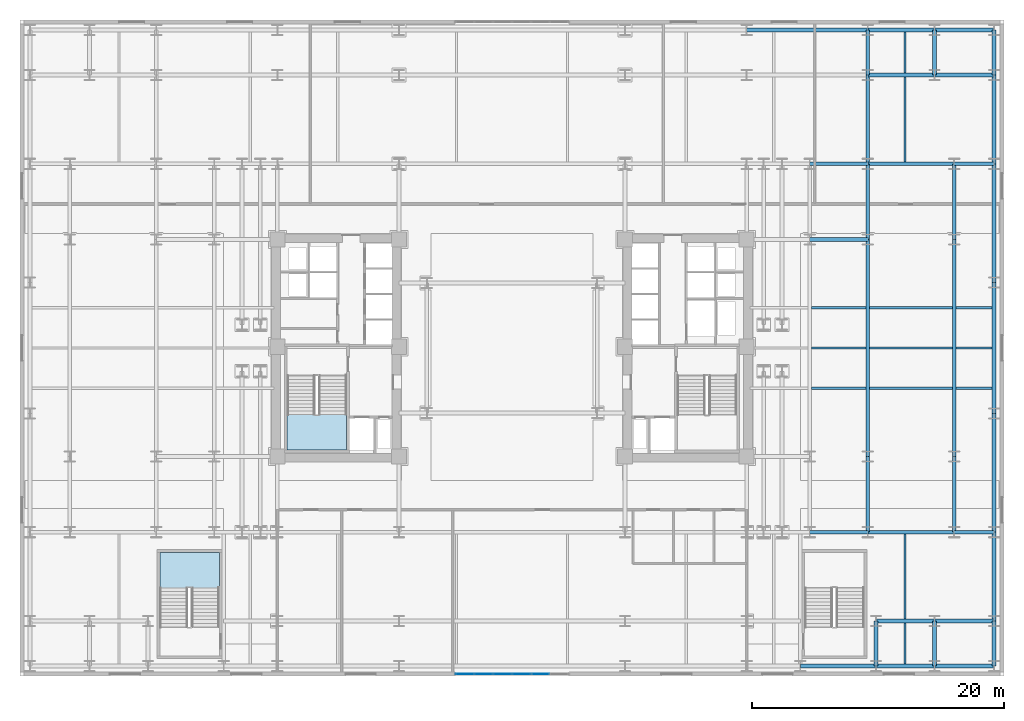
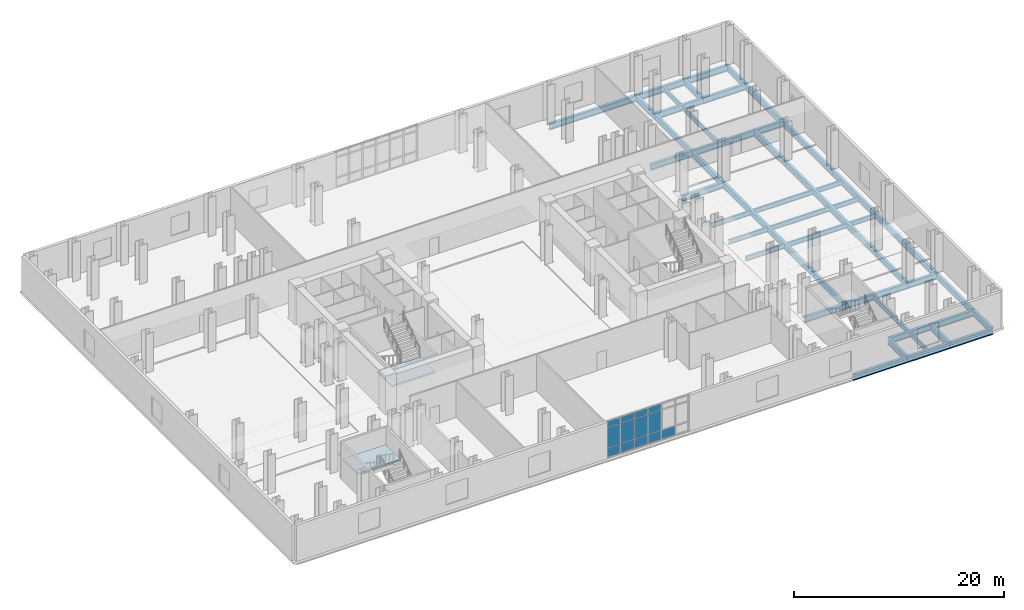
# One storey, part 6 of 15: 48 beams, 13 plates, 2 slabs, 3 elements without a shape of their own.
"""IFC4 building model written with IfcOpenShell, lengths in metres."""

import ifcopenshell
import ifcopenshell.guid

model = None  # the IFC model being written
_history = None  # IfcOwnerHistory: only IFC2X3 demands one
_inside = {}  # id of a spatial element -> (the spatial element, [elements in it])
_under = {}  # id of a project, library or spatial element -> (it, [spatial elements below it])
_declared = {}  # id of a project -> (the project, [libraries it declares])
_typed = {}  # id of a type object -> (the type object, [elements of that type])
_made_of = {}  # id of a material, layer set ... -> (it, [elements and type objects made of it])


def new_model(schema):
    """Start an empty IFC model of exactly this schema.

    Asked for "IFC4X3", IfcOpenShell would pick the latest addendum, in which some entities
    have other attributes; the version numbers below select the first issue.
    IFC2X3 requires an IfcOwnerHistory on every rooted entity: one is made here for all.
    """
    global model, _history
    if schema == "IFC4X3":
        model = ifcopenshell.file(schema_version=(4, 3, 0, 0))
    else:
        model = ifcopenshell.file(schema=schema)
    _inside.clear()
    _under.clear()
    _declared.clear()
    _typed.clear()
    _made_of.clear()
    _history = None
    if model.schema == "IFC2X3":
        org = make("IfcOrganization", Name="unknown")
        user = make(
            "IfcPersonAndOrganization",
            ThePerson=make("IfcPerson", FamilyName="unknown"),
            TheOrganization=org,
        )
        app = make(
            "IfcApplication",
            ApplicationDeveloper=org,
            Version="unknown",
            ApplicationFullName="unknown",
            ApplicationIdentifier="unknown",
        )
        _history = make(
            "IfcOwnerHistory",
            OwningUser=user,
            OwningApplication=app,
            ChangeAction="ADDED",
            CreationDate=0,
        )
    return model


def make(cls, **values):
    """One entity of the class cls with the attributes given. An attribute that is None is left unset."""
    return model.create_entity(
        cls, **{name: value for name, value in values.items() if value is not None}
    )


def rooted(cls, **values):
    """An entity with a GlobalId (a new one), such as an element, a storey or a relation."""
    return make(cls, GlobalId=ifcopenshell.guid.new(), OwnerHistory=_history, **values)


def si_unit(unit_type, name, prefix=None):
    """IfcSIUnit, for example si_unit("LENGTHUNIT", "METRE", prefix="MILLI")."""
    return make("IfcSIUnit", UnitType=unit_type, Prefix=prefix, Name=name)


def assignment(units):
    """IfcUnitAssignment: the units of a project."""
    return None if units is None else make("IfcUnitAssignment", Units=units)


def point(xyz):
    """IfcCartesianPoint."""
    return None if xyz is None else make("IfcCartesianPoint", Coordinates=xyz)


def direction(xyz):
    """IfcDirection."""
    return None if xyz is None else make("IfcDirection", DirectionRatios=xyz)


def frame(location, z_axis=None, x_axis=None):
    """IfcAxis2Placement3D, a coordinate frame: its origin and axes. An axis left out is left unset."""
    return make(
        "IfcAxis2Placement3D",
        Location=point(location),
        Axis=direction(z_axis),
        RefDirection=direction(x_axis),
    )


def frame_2d(location, x_axis=None):
    """IfcAxis2Placement2D, a coordinate frame in the plane: its origin and x axis."""
    return make(
        "IfcAxis2Placement2D", Location=point(location), RefDirection=direction(x_axis)
    )


def origin():
    """The frame at (0, 0, 0) with its axes left unset."""
    return frame((0.0, 0.0, 0.0))


def origin_2d():
    """The frame at (0, 0) in the plane with its x axis left unset."""
    return frame_2d((0.0, 0.0))


def place(relative_to, where):
    """IfcLocalPlacement: puts the frame where relative to a parent placement (None: the world)."""
    return make(
        "IfcLocalPlacement", PlacementRelTo=relative_to, RelativePlacement=where
    )


def context(
    kind, dimensions, precision=None, world=None, true_north=None, identifier=None
):
    """IfcGeometricRepresentationContext, for example the 3D "Model" context."""
    return make(
        "IfcGeometricRepresentationContext",
        ContextIdentifier=identifier,
        ContextType=kind,
        CoordinateSpaceDimension=dimensions,
        Precision=precision,
        WorldCoordinateSystem=world,
        TrueNorth=true_north,
    )


def subcontext(parent, identifier, kind, view, scale=None):
    """IfcGeometricRepresentationSubContext, for example "Body" below "Model"."""
    return make(
        "IfcGeometricRepresentationSubContext",
        ContextIdentifier=identifier,
        ContextType=kind,
        ParentContext=parent,
        TargetScale=scale,
        TargetView=view,
    )


def project(units=None, contexts=None):
    """IfcProject with its units and contexts."""
    return rooted(
        "IfcProject",
        Name="project",
        RepresentationContexts=contexts,
        UnitsInContext=assignment(units),
    )


def spatial(cls, under=None, at=None, **own):
    """A site, building, storey or space (cls), placed at a placement, below another one or the project."""
    s = rooted(cls, ObjectPlacement=at, **own)
    if under is not None:
        _under.setdefault(under.id(), (under, []))[1].append(s)
    return s


def polyline(points):
    """IfcPolyline through the points."""
    return make("IfcPolyline", Points=[point(p) for p in points])


def profile(cls, at=None, kind="AREA", **sizes):
    """A parametric profile (cls). Its sizes go by their IFC names, for example OverallWidth=200.0."""
    return make(cls, ProfileType=kind, Position=at, **sizes)


def rectangle(**sizes):
    """IfcRectangleProfileDef."""
    return profile("IfcRectangleProfileDef", **sizes)


def i_section(**sizes):
    """IfcIShapeProfileDef."""
    return profile("IfcIShapeProfileDef", **sizes)


def outline(outer, holes=None, kind="AREA"):
    """IfcArbitraryClosedProfileDef: a profile drawn as a closed curve; with holes, ...WithVoids."""
    if holes is None:
        return make("IfcArbitraryClosedProfileDef", ProfileType=kind, OuterCurve=outer)
    return make(
        "IfcArbitraryProfileDefWithVoids",
        ProfileType=kind,
        OuterCurve=outer,
        InnerCurves=holes,
    )


def extrude(swept, where, along, depth):
    """IfcExtrudedAreaSolid: the profile swept, set in the frame where, extruded along a direction by depth."""
    return make(
        "IfcExtrudedAreaSolid",
        SweptArea=swept,
        Position=where,
        ExtrudedDirection=direction(along),
        Depth=depth,
    )


def shape(context_of_items, identifier, shape_type, items):
    """IfcShapeRepresentation: the items that make up one representation, for example the "Body"."""
    return make(
        "IfcShapeRepresentation",
        ContextOfItems=context_of_items,
        RepresentationIdentifier=identifier,
        RepresentationType=shape_type,
        Items=items,
    )


def material(Name=None, Category=None):
    """IfcMaterial."""
    return make("IfcMaterial", Name=Name, Category=Category)


def layer(
    of_material, thickness, ventilated=None, Name=None, Category=None, Priority=None
):
    """IfcMaterialLayer: one layer of a wall or slab, of a material (None: an air gap)."""
    return make(
        "IfcMaterialLayer",
        Material=of_material,
        LayerThickness=thickness,
        IsVentilated=ventilated,
        Name=Name,
        Category=Category,
        Priority=Priority,
    )


def layer_set(layers, Name=None):
    """IfcMaterialLayerSet."""
    return make("IfcMaterialLayerSet", MaterialLayers=layers, LayerSetName=Name)


def material_profile(
    of_material, cross_section, Name=None, Category=None, Priority=None
):
    """IfcMaterialProfile: a cross section and its material."""
    return make(
        "IfcMaterialProfile",
        Name=Name,
        Material=of_material,
        Profile=cross_section,
        Priority=Priority,
        Category=Category,
    )


def profile_set(profiles, Name=None, composite=None):
    """IfcMaterialProfileSet."""
    return make(
        "IfcMaterialProfileSet",
        Name=Name,
        MaterialProfiles=profiles,
        CompositeProfile=composite,
    )


def made_of(thing, what):
    """Note that an element or type object is made of a material, layer set ...; save() writes the relation."""
    if what is not None:
        _made_of.setdefault(what.id(), (what, []))[1].append(thing)
    return thing


def type_object(cls, material=None, **own):
    """A type object (cls), such as IfcWallType, which elements share."""
    return made_of(rooted(cls, **own), material)


def element(
    cls,
    number,
    at=None,
    inside=None,
    cuts=None,
    type_object=None,
    material=None,
    context=None,
    identifier="Body",
    shape_type=None,
    held_by="IfcProductDefinitionShape",
    body=None,
    shapes=None,
    **own,
):
    """One element of the class cls, such as IfcWall. Its Tag is "e" and its number.

    at: its placement. inside: the storey or other place that contains it. cuts: it is an
    opening in that element (IfcRelVoidsElement). A single representation is given by context,
    identifier, shape_type and body (its items); several are given by shapes. held_by: the class
    of the entity that holds the representations. save() writes the other relations.
    """
    e = rooted(cls, Tag="e%d" % number, ObjectPlacement=at, **own)
    if body is not None:
        shapes = [shape(context, identifier, shape_type, body)]
    if shapes is not None:
        e.Representation = make(held_by, Representations=shapes)
    if inside is not None:
        _inside.setdefault(inside.id(), (inside, []))[1].append(e)
    if cuts is not None:
        rooted(
            "IfcRelVoidsElement", RelatingBuildingElement=cuts, RelatedOpeningElement=e
        )
    if type_object is not None:
        _typed.setdefault(type_object.id(), (type_object, []))[1].append(e)
    return made_of(e, material)


def aggregate(whole, parts):
    """IfcRelAggregates: a whole, such as a stair, and the parts it consists of."""
    return rooted("IfcRelAggregates", RelatingObject=whole, RelatedObjects=parts)


def save(model, path):
    """Write the relations noted so far, then the file.

    IfcRelAggregates (storeys below a building ...), IfcRelContainedInSpatialStructure (elements
    in a storey), IfcRelDefinesByType, IfcRelAssociatesMaterial and IfcRelDeclares: one each for
    every whole, place, type object, material and project.
    """
    for whole, parts in _under.values():
        aggregate(whole, parts)
    for where, things in _inside.values():
        rooted(
            "IfcRelContainedInSpatialStructure",
            RelatedElements=things,
            RelatingStructure=where,
        )
    for kind, things in _typed.values():
        rooted("IfcRelDefinesByType", RelatedObjects=things, RelatingType=kind)
    for what, things in _made_of.values():
        rooted("IfcRelAssociatesMaterial", RelatedObjects=things, RelatingMaterial=what)
    for by, libraries in _declared.values():
        rooted("IfcRelDeclares", RelatingContext=by, RelatedDefinitions=libraries)
    model.write(path)


model = new_model("IFC4")

# Units and contexts
model_context = context("Model", 3, precision=1e-05, world=origin(), true_north=direction((0.0, 1.0)))
body_context = subcontext(model_context, "Body", "Model", "MODEL_VIEW")
ifc_project = project(units=[si_unit("LENGTHUNIT", "METRE"), si_unit("AREAUNIT", "SQUARE_METRE"), si_unit("VOLUMEUNIT", "CUBIC_METRE"), si_unit("PLANEANGLEUNIT", "RADIAN"), si_unit("MASSUNIT", "GRAM", prefix="KILO")], contexts=[model_context])

# Site, building, storey
site_placement = place(None, origin())
site = spatial("IfcSite", under=ifc_project, at=site_placement, CompositionType="ELEMENT")
building_placement = place(site_placement, origin())
building = spatial("IfcBuilding", under=site, at=building_placement, Name="Velakula Bourse", CompositionType="ELEMENT")
storey_placement = place(building_placement, frame((0.0, 0.0, 14.10009765625)))
storey = spatial("IfcBuildingStorey", under=building, at=storey_placement, Name="L03", CompositionType="ELEMENT", Elevation=14.10009765625)

# Beams
ifc_material_1 = material(Name="Steel IS 2062 Grade 350 (E350)", Category="steel")
ifc_material_profile_1 = material_profile(ifc_material_1, i_section(OverallWidth=0.300048828125, OverallDepth=0.699951171875, WebThickness=0.01611328125, FlangeThickness=0.02490234375, at=origin_2d()), Name="Steel IS 2062 Grade 350 (E350)")
ifc_profile_set_1 = profile_set([ifc_material_profile_1], Name="Steel IS 2062 Grade 350 (E350)")
beam_type_1 = type_object("IfcBeamType", Name="BM-POD-700", PredefinedType="BEAM", material=ifc_profile_set_1)
for number, where, z_axis, x_axis, name in (
    (1, (23.60009765625, -14.60009765625, -0.60009765625), (1.0, 0.0, 0.0), (0.0, 1.0, 0.0), "L03 Fulcrum Grid Girder WNG-ES1"),
    (2, (23.60009765625, 8.60009765625, -0.60009765625), (1.0, 0.0, 0.0), (0.0, 1.0, 0.0), "L03 Fulcrum Grid Girder WNG-EN1"),
    (3, (23.60009765625, 14.60009765625, -0.60009765625), (1.0, 0.0, 0.0), (0.0, 1.0, 0.0), "L03 Fulcrum Grid Girder WNG-EN2"),
):
    element("IfcBeam", number, at=place(storey_placement, frame(where, z_axis=z_axis, x_axis=x_axis)), inside=storey, type_object=beam_type_1, Name=name, PredefinedType="BEAM", context=body_context, shape_type="SweptSolid", body=[
        extrude(i_section(OverallWidth=0.300048828125, OverallDepth=0.699951171875, WebThickness=0.01611328125, FlangeThickness=0.02490234375, at=origin_2d()), origin(), (0.0, 0.0, 1.0), 4.599853515625),
    ])
beam_1_placement = place(storey_placement, frame((28.199951171875, -14.60009765625, -0.60009765625), z_axis=(0.0, 1.0, 0.0), x_axis=(-1.0, 0.0, 0.0)))
element("IfcBeam", 4, at=beam_1_placement, inside=storey, type_object=beam_type_1, Name="L03 Fulcrum Grid Girder WNG-ENS1", PredefinedType="BEAM", context=body_context, shape_type="SweptSolid", body=[
    extrude(i_section(OverallWidth=0.300048828125, OverallDepth=0.699951171875, WebThickness=0.01611328125, FlangeThickness=0.02490234375, at=origin_2d()), origin(), (0.0, 0.0, 1.0), 6.0),
])
beam_2_placement = place(storey_placement, frame((28.199951171875, -8.60009765625, -0.60009765625), z_axis=(0.0, 1.0, 0.0), x_axis=(-1.0, 0.0, 0.0)))
element("IfcBeam", 5, at=beam_2_placement, inside=storey, type_object=beam_type_1, Name="L03 Fulcrum Grid Girder WNG-ENS2", PredefinedType="BEAM", context=body_context, shape_type="SweptSolid", body=[
    extrude(i_section(OverallWidth=0.300048828125, OverallDepth=0.699951171875, WebThickness=0.01611328125, FlangeThickness=0.02490234375, at=origin_2d()), origin(), (0.0, 0.0, 1.0), 17.2001953125),
])
for number, where, z_axis, x_axis, name in (
    (6, (28.199951171875, 8.60009765625, -0.60009765625), (0.0, 1.0, 0.0), (-1.0, 0.0, 0.0), "L03 Fulcrum Grid Girder WNG-ENS3"),
    (7, (22.85009765625, -25.199951171875, -0.60009765625), (1.0, 0.0, 0.0), (0.0, 1.0, 0.0), "L03 Podium E-W Girder 09"),
):
    element("IfcBeam", number, at=place(storey_placement, frame(where, z_axis=z_axis, x_axis=x_axis)), inside=storey, type_object=beam_type_1, Name=name, PredefinedType="BEAM", context=body_context, shape_type="SweptSolid", body=[
        extrude(i_section(OverallWidth=0.300048828125, OverallDepth=0.699951171875, WebThickness=0.01611328125, FlangeThickness=0.02490234375, at=origin_2d()), origin(), (0.0, 0.0, 1.0), 6.0),
    ])
beam_3_placement = place(storey_placement, frame((28.85009765625, -25.199951171875, -0.60009765625), z_axis=(1.0, 0.0, 0.0), x_axis=(0.0, 1.0, 0.0)))
element("IfcBeam", 8, at=beam_3_placement, inside=storey, type_object=beam_type_1, Name="L03 Podium E-W Girder 10", PredefinedType="BEAM", context=body_context, shape_type="SweptSolid", body=[
    extrude(i_section(OverallWidth=0.300048828125, OverallDepth=0.699951171875, WebThickness=0.01611328125, FlangeThickness=0.02490234375, at=origin_2d()), origin(), (0.0, 0.0, 1.0), 4.64990234375),
])
beam_4_placement = place(storey_placement, frame((33.5, -25.199951171875, -0.60009765625), z_axis=(1.0, 0.0, 0.0), x_axis=(0.0, 1.0, 0.0)))
element("IfcBeam", 9, at=beam_4_placement, inside=storey, type_object=beam_type_1, Name="L03 Podium E-W Girder 11", PredefinedType="BEAM", context=body_context, shape_type="SweptSolid", body=[
    extrude(i_section(OverallWidth=0.300048828125, OverallDepth=0.699951171875, WebThickness=0.01611328125, FlangeThickness=0.02490234375, at=origin_2d()), origin(), (0.0, 0.0, 1.0), 4.699951171875),
])
beam_5_placement = place(storey_placement, frame((28.85009765625, -21.64990234375, -0.60009765625), z_axis=(1.0, 0.0, 0.0), x_axis=(0.0, 1.0, 0.0)))
element("IfcBeam", 10, at=beam_5_placement, inside=storey, type_object=beam_type_1, Name="L03 Podium E-W Girder 19", PredefinedType="BEAM", context=body_context, shape_type="SweptSolid", body=[
    extrude(i_section(OverallWidth=0.300048828125, OverallDepth=0.699951171875, WebThickness=0.01611328125, FlangeThickness=0.02490234375, at=origin_2d()), origin(), (0.0, 0.0, 1.0), 4.64990234375),
])
beam_6_placement = place(storey_placement, frame((33.5, -21.64990234375, -0.60009765625), z_axis=(1.0, 0.0, 0.0), x_axis=(0.0, 1.0, 0.0)))
element("IfcBeam", 11, at=beam_6_placement, inside=storey, type_object=beam_type_1, Name="L03 Podium E-W Girder 20", PredefinedType="BEAM", context=body_context, shape_type="SweptSolid", body=[
    extrude(i_section(OverallWidth=0.300048828125, OverallDepth=0.699951171875, WebThickness=0.01611328125, FlangeThickness=0.02490234375, at=origin_2d()), origin(), (0.0, 0.0, 1.0), 4.699951171875),
])
beam_7_placement = place(storey_placement, frame((28.199951171875, -14.60009765625, -0.60009765625), z_axis=(1.0, 0.0, 0.0), x_axis=(0.0, 1.0, 0.0)))
element("IfcBeam", 12, at=beam_7_placement, inside=storey, type_object=beam_type_1, Name="L03 Podium E-W Girder 32", PredefinedType="BEAM", context=body_context, shape_type="SweptSolid", body=[
    extrude(i_section(OverallWidth=0.300048828125, OverallDepth=0.699951171875, WebThickness=0.01611328125, FlangeThickness=0.02490234375, at=origin_2d()), origin(), (0.0, 0.0, 1.0), 6.85009765625),
])
beam_8_placement = place(storey_placement, frame((35.050048828125, -14.60009765625, -0.60009765625), z_axis=(1.0, 0.0, 0.0), x_axis=(0.0, 1.0, 0.0)))
element("IfcBeam", 13, at=beam_8_placement, inside=storey, type_object=beam_type_1, Name="L03 Podium E-W Girder 33", PredefinedType="BEAM", context=body_context, shape_type="SweptSolid", body=[
    extrude(i_section(OverallWidth=0.300048828125, OverallDepth=0.699951171875, WebThickness=0.01611328125, FlangeThickness=0.02490234375, at=origin_2d()), origin(), (0.0, 0.0, 1.0), 3.14990234375),
])
beam_9_placement = place(storey_placement, frame((28.199951171875, 14.60009765625, -0.60009765625), z_axis=(1.0, 0.0, 0.0), x_axis=(0.0, 1.0, 0.0)))
element("IfcBeam", 14, at=beam_9_placement, inside=storey, type_object=beam_type_1, Name="L03 Podium E-W Girder 45", PredefinedType="BEAM", context=body_context, shape_type="SweptSolid", body=[
    extrude(i_section(OverallWidth=0.300048828125, OverallDepth=0.699951171875, WebThickness=0.01611328125, FlangeThickness=0.02490234375, at=origin_2d()), origin(), (0.0, 0.0, 1.0), 6.85009765625),
])
beam_10_placement = place(storey_placement, frame((35.050048828125, 14.60009765625, -0.60009765625), z_axis=(1.0, 0.0, 0.0), x_axis=(0.0, 1.0, 0.0)))
element("IfcBeam", 15, at=beam_10_placement, inside=storey, type_object=beam_type_1, Name="L03 Podium E-W Girder 46", PredefinedType="BEAM", context=body_context, shape_type="SweptSolid", body=[
    extrude(i_section(OverallWidth=0.300048828125, OverallDepth=0.699951171875, WebThickness=0.01611328125, FlangeThickness=0.02490234375, at=origin_2d()), origin(), (0.0, 0.0, 1.0), 3.14990234375),
])
beam_11_placement = place(storey_placement, frame((28.199951171875, 21.64990234375, -0.60009765625), z_axis=(1.0, 0.0, 0.0), x_axis=(0.0, 1.0, 0.0)))
element("IfcBeam", 16, at=beam_11_placement, inside=storey, type_object=beam_type_1, Name="L03 Podium E-W Girder 54", PredefinedType="BEAM", context=body_context, shape_type="SweptSolid", body=[
    extrude(i_section(OverallWidth=0.300048828125, OverallDepth=0.699951171875, WebThickness=0.01611328125, FlangeThickness=0.02490234375, at=origin_2d()), origin(), (0.0, 0.0, 1.0), 5.300048828125),
])
beam_12_placement = place(storey_placement, frame((33.5, 21.64990234375, -0.60009765625), z_axis=(1.0, 0.0, 0.0), x_axis=(0.0, 1.0, 0.0)))
element("IfcBeam", 17, at=beam_12_placement, inside=storey, type_object=beam_type_1, Name="L03 Podium E-W Girder 55", PredefinedType="BEAM", context=body_context, shape_type="SweptSolid", body=[
    extrude(i_section(OverallWidth=0.300048828125, OverallDepth=0.699951171875, WebThickness=0.01611328125, FlangeThickness=0.02490234375, at=origin_2d()), origin(), (0.0, 0.0, 1.0), 4.699951171875),
])
beam_13_placement = place(storey_placement, frame((18.60009765625, 25.199951171875, -0.60009765625), z_axis=(1.0, 0.0, 0.0), x_axis=(0.0, 1.0, 0.0)))
element("IfcBeam", 18, at=beam_13_placement, inside=storey, type_object=beam_type_1, Name="L03 Podium E-W Girder 62", PredefinedType="BEAM", context=body_context, shape_type="SweptSolid", body=[
    extrude(i_section(OverallWidth=0.300048828125, OverallDepth=0.699951171875, WebThickness=0.01611328125, FlangeThickness=0.02490234375, at=origin_2d()), origin(), (0.0, 0.0, 1.0), 9.599853515625),
])
beam_14_placement = place(storey_placement, frame((28.199951171875, 25.199951171875, -0.60009765625), z_axis=(1.0, 0.0, 0.0), x_axis=(0.0, 1.0, 0.0)))
element("IfcBeam", 19, at=beam_14_placement, inside=storey, type_object=beam_type_1, Name="L03 Podium E-W Girder 63", PredefinedType="BEAM", context=body_context, shape_type="SweptSolid", body=[
    extrude(i_section(OverallWidth=0.300048828125, OverallDepth=0.699951171875, WebThickness=0.01611328125, FlangeThickness=0.02490234375, at=origin_2d()), origin(), (0.0, 0.0, 1.0), 5.300048828125),
])
beam_15_placement = place(storey_placement, frame((33.5, 25.199951171875, -0.60009765625), z_axis=(1.0, 0.0, 0.0), x_axis=(0.0, 1.0, 0.0)))
element("IfcBeam", 20, at=beam_15_placement, inside=storey, type_object=beam_type_1, Name="L03 Podium E-W Girder 64", PredefinedType="BEAM", context=body_context, shape_type="SweptSolid", body=[
    extrude(i_section(OverallWidth=0.300048828125, OverallDepth=0.699951171875, WebThickness=0.01611328125, FlangeThickness=0.02490234375, at=origin_2d()), origin(), (0.0, 0.0, 1.0), 4.699951171875),
])
beam_16_placement = place(storey_placement, frame((28.199951171875, 14.60009765625, -0.60009765625), z_axis=(0.0, 1.0, 0.0), x_axis=(-1.0, 0.0, 0.0)))
element("IfcBeam", 21, at=beam_16_placement, inside=storey, type_object=beam_type_1, Name="L03 Podium N-S Girder 85", PredefinedType="BEAM", context=body_context, shape_type="SweptSolid", body=[
    extrude(i_section(OverallWidth=0.300048828125, OverallDepth=0.699951171875, WebThickness=0.01611328125, FlangeThickness=0.02490234375, at=origin_2d()), origin(), (0.0, 0.0, 1.0), 7.0498046875),
])
for number, where, z_axis, x_axis, name in (
    (22, (28.199951171875, 21.64990234375, -0.60009765625), (0.0, 1.0, 0.0), (-1.0, 0.0, 0.0), "L03 Podium N-S Girder 86"),
    (23, (28.85009765625, -25.199951171875, -0.60009765625), (0.0, 1.0, 0.0), (-1.0, 0.0, 0.0), "L03 Podium N-S Girder 87"),
    (24, (33.5, -25.199951171875, -0.60009765625), (0.0, 1.0, 0.0), (-1.0, 0.0, 0.0), "L03 Podium N-S Girder 88"),
):
    element("IfcBeam", number, at=place(storey_placement, frame(where, z_axis=z_axis, x_axis=x_axis)), inside=storey, type_object=beam_type_1, Name=name, PredefinedType="BEAM", context=body_context, shape_type="SweptSolid", body=[
        extrude(i_section(OverallWidth=0.300048828125, OverallDepth=0.699951171875, WebThickness=0.01611328125, FlangeThickness=0.02490234375, at=origin_2d()), origin(), (0.0, 0.0, 1.0), 3.550048828125),
    ])
beam_17_placement = place(storey_placement, frame((35.050048828125, -14.60009765625, -0.60009765625), z_axis=(0.0, 1.0, 0.0), x_axis=(-1.0, 0.0, 0.0)))
element("IfcBeam", 25, at=beam_17_placement, inside=storey, type_object=beam_type_1, Name="L03 Podium N-S Girder 89", PredefinedType="BEAM", context=body_context, shape_type="SweptSolid", body=[
    extrude(i_section(OverallWidth=0.300048828125, OverallDepth=0.699951171875, WebThickness=0.01611328125, FlangeThickness=0.02490234375, at=origin_2d()), origin(), (0.0, 0.0, 1.0), 6.0),
])
beam_18_placement = place(storey_placement, frame((35.050048828125, -8.60009765625, -0.60009765625), z_axis=(0.0, 1.0, 0.0), x_axis=(-1.0, 0.0, 0.0)))
element("IfcBeam", 26, at=beam_18_placement, inside=storey, type_object=beam_type_1, Name="L03 Podium N-S Girder 90", PredefinedType="BEAM", context=body_context, shape_type="SweptSolid", body=[
    extrude(i_section(OverallWidth=0.300048828125, OverallDepth=0.699951171875, WebThickness=0.01611328125, FlangeThickness=0.02490234375, at=origin_2d()), origin(), (0.0, 0.0, 1.0), 17.2001953125),
])
beam_19_placement = place(storey_placement, frame((35.050048828125, 8.60009765625, -0.60009765625), z_axis=(0.0, 1.0, 0.0), x_axis=(-1.0, 0.0, 0.0)))
element("IfcBeam", 27, at=beam_19_placement, inside=storey, type_object=beam_type_1, Name="L03 Podium N-S Girder 91", PredefinedType="BEAM", context=body_context, shape_type="SweptSolid", body=[
    extrude(i_section(OverallWidth=0.300048828125, OverallDepth=0.699951171875, WebThickness=0.01611328125, FlangeThickness=0.02490234375, at=origin_2d()), origin(), (0.0, 0.0, 1.0), 6.0),
])
beam_20_placement = place(storey_placement, frame((38.199951171875, -25.199951171875, -0.60009765625), z_axis=(0.0, 1.0, 0.0), x_axis=(-1.0, 0.0, 0.0)))
element("IfcBeam", 28, at=beam_20_placement, inside=storey, type_object=beam_type_1, Name="L03 Podium N-S Girder 92", PredefinedType="BEAM", context=body_context, shape_type="SweptSolid", body=[
    extrude(i_section(OverallWidth=0.300048828125, OverallDepth=0.699951171875, WebThickness=0.01611328125, FlangeThickness=0.02490234375, at=origin_2d()), origin(), (0.0, 0.0, 1.0), 3.550048828125),
])
beam_21_placement = place(storey_placement, frame((38.199951171875, -21.64990234375, -0.60009765625), z_axis=(0.0, 1.0, 0.0), x_axis=(-1.0, 0.0, 0.0)))
element("IfcBeam", 29, at=beam_21_placement, inside=storey, type_object=beam_type_1, Name="L03 Podium N-S Girder 93", PredefinedType="BEAM", context=body_context, shape_type="SweptSolid", body=[
    extrude(i_section(OverallWidth=0.300048828125, OverallDepth=0.699951171875, WebThickness=0.01611328125, FlangeThickness=0.02490234375, at=origin_2d()), origin(), (0.0, 0.0, 1.0), 7.0498046875),
])
beam_22_placement = place(storey_placement, frame((38.199951171875, -14.60009765625, -0.60009765625), z_axis=(0.0, 1.0, 0.0), x_axis=(-1.0, 0.0, 0.0)))
element("IfcBeam", 30, at=beam_22_placement, inside=storey, type_object=beam_type_1, Name="L03 Podium N-S Girder 94", PredefinedType="BEAM", context=body_context, shape_type="SweptSolid", body=[
    extrude(i_section(OverallWidth=0.300048828125, OverallDepth=0.699951171875, WebThickness=0.01611328125, FlangeThickness=0.02490234375, at=origin_2d()), origin(), (0.0, 0.0, 1.0), 9.400146484375),
])
beam_23_placement = place(storey_placement, frame((38.199951171875, -5.199951171875, -0.60009765625), z_axis=(0.0, 1.0, 0.0), x_axis=(-1.0, 0.0, 0.0)))
element("IfcBeam", 31, at=beam_23_placement, inside=storey, type_object=beam_type_1, Name="L03 Podium N-S Girder 95", PredefinedType="BEAM", context=body_context, shape_type="SweptSolid", body=[
    extrude(i_section(OverallWidth=0.300048828125, OverallDepth=0.699951171875, WebThickness=0.01611328125, FlangeThickness=0.02490234375, at=origin_2d()), origin(), (0.0, 0.0, 1.0), 10.39990234375),
])
beam_24_placement = place(storey_placement, frame((38.199951171875, 5.199951171875, -0.60009765625), z_axis=(0.0, 1.0, 0.0), x_axis=(-1.0, 0.0, 0.0)))
element("IfcBeam", 32, at=beam_24_placement, inside=storey, type_object=beam_type_1, Name="L03 Podium N-S Girder 96", PredefinedType="BEAM", context=body_context, shape_type="SweptSolid", body=[
    extrude(i_section(OverallWidth=0.300048828125, OverallDepth=0.699951171875, WebThickness=0.01611328125, FlangeThickness=0.02490234375, at=origin_2d()), origin(), (0.0, 0.0, 1.0), 9.400146484375),
])
beam_25_placement = place(storey_placement, frame((38.199951171875, 14.60009765625, -0.60009765625), z_axis=(0.0, 1.0, 0.0), x_axis=(-1.0, 0.0, 0.0)))
element("IfcBeam", 33, at=beam_25_placement, inside=storey, type_object=beam_type_1, Name="L03 Podium N-S Girder 97", PredefinedType="BEAM", context=body_context, shape_type="SweptSolid", body=[
    extrude(i_section(OverallWidth=0.300048828125, OverallDepth=0.699951171875, WebThickness=0.01611328125, FlangeThickness=0.02490234375, at=origin_2d()), origin(), (0.0, 0.0, 1.0), 7.0498046875),
])
for number, where, z_axis, x_axis, name in (
    (34, (38.199951171875, 21.64990234375, -0.60009765625), (0.0, 1.0, 0.0), (-1.0, 0.0, 0.0), "L03 Podium N-S Girder 98"),
    (35, (33.5, 21.64990234375, -0.60009765625), (0.0, 1.0, 0.0), (-1.0, 0.0, 0.0), "L03 Podium N-S Girder 100"),
):
    element("IfcBeam", number, at=place(storey_placement, frame(where, z_axis=z_axis, x_axis=x_axis)), inside=storey, type_object=beam_type_1, Name=name, PredefinedType="BEAM", context=body_context, shape_type="SweptSolid", body=[
        extrude(i_section(OverallWidth=0.300048828125, OverallDepth=0.699951171875, WebThickness=0.01611328125, FlangeThickness=0.02490234375, at=origin_2d()), origin(), (0.0, 0.0, 1.0), 3.550048828125),
    ])
ifc_material_profile_2 = material_profile(ifc_material_1, i_section(OverallWidth=0.18994140625, OverallDepth=0.550048828125, WebThickness=0.01123046875, FlangeThickness=0.019287109375, at=origin_2d()), Name="Steel IS 2062 Grade 350 (E350)")
ifc_profile_set_2 = profile_set([ifc_material_profile_2], Name="Steel IS 2062 Grade 350 (E350)")
beam_type_2 = type_object("IfcBeamType", Name="JST-POD-550", PredefinedType="JOIST", material=ifc_profile_set_2)
beam_26_placement = place(storey_placement, frame((31.14990234375, -25.050048828125, -0.525146484375), z_axis=(0.0, 1.0, 0.0), x_axis=(-1.0, 0.0, 0.0)))
element("IfcBeam", 36, at=beam_26_placement, inside=storey, type_object=beam_type_2, Name="L03 Station Podium Floor Joist 29", PredefinedType="JOIST", context=body_context, shape_type="SweptSolid", body=[
    extrude(i_section(OverallWidth=0.18994140625, OverallDepth=0.550048828125, WebThickness=0.01123046875, FlangeThickness=0.019287109375, at=origin_2d()), origin(), (0.0, 0.0, 1.0), 3.25),
])
for number, where, z_axis, x_axis, name in (
    (37, (31.14990234375, -21.5, -0.525146484375), (0.0, 1.0, 0.0), (-1.0, 0.0, 0.0), "L03 Station Podium Floor Joist 30"),
    (38, (31.14990234375, 14.75, -0.525146484375), (0.0, 1.0, 0.0), (-1.0, 0.0, 0.0), "L03 Station Podium Floor Joist 31"),
):
    element("IfcBeam", number, at=place(storey_placement, frame(where, z_axis=z_axis, x_axis=x_axis)), inside=storey, type_object=beam_type_2, Name=name, PredefinedType="JOIST", context=body_context, shape_type="SweptSolid", body=[
        extrude(i_section(OverallWidth=0.18994140625, OverallDepth=0.550048828125, WebThickness=0.01123046875, FlangeThickness=0.019287109375, at=origin_2d()), origin(), (0.0, 0.0, 1.0), 6.75),
    ])
beam_27_placement = place(storey_placement, frame((31.14990234375, 21.800048828125, -0.525146484375), z_axis=(0.0, 1.0, 0.0), x_axis=(-1.0, 0.0, 0.0)))
element("IfcBeam", 39, at=beam_27_placement, inside=storey, type_object=beam_type_2, Name="L03 Station Podium Floor Joist 32", PredefinedType="JOIST", context=body_context, shape_type="SweptSolid", body=[
    extrude(i_section(OverallWidth=0.18994140625, OverallDepth=0.550048828125, WebThickness=0.01123046875, FlangeThickness=0.019287109375, at=origin_2d()), origin(), (0.0, 0.0, 1.0), 3.25),
])
beam_28_placement = place(storey_placement, frame((23.75, -3.199951171875, -0.525146484375), z_axis=(1.0, 0.0, 0.0), x_axis=(0.0, 1.0, 0.0)))
element("IfcBeam", 40, at=beam_28_placement, inside=storey, type_object=beam_type_2, Name="L03 Station Wing Floor Joist 38", PredefinedType="JOIST", context=body_context, shape_type="SweptSolid", body=[
    extrude(i_section(OverallWidth=0.18994140625, OverallDepth=0.550048828125, WebThickness=0.01123046875, FlangeThickness=0.019287109375, at=origin_2d()), origin(), (0.0, 0.0, 1.0), 4.300048828125),
])
beam_29_placement = place(storey_placement, frame((28.35009765625, -3.199951171875, -0.525146484375), z_axis=(1.0, 0.0, 0.0), x_axis=(0.0, 1.0, 0.0)))
element("IfcBeam", 41, at=beam_29_placement, inside=storey, type_object=beam_type_2, Name="L03 Station Wing Floor Joist 39", PredefinedType="JOIST", context=body_context, shape_type="SweptSolid", body=[
    extrude(i_section(OverallWidth=0.18994140625, OverallDepth=0.550048828125, WebThickness=0.01123046875, FlangeThickness=0.019287109375, at=origin_2d()), origin(), (0.0, 0.0, 1.0), 6.5498046875),
])
beam_30_placement = place(storey_placement, frame((35.199951171875, -3.199951171875, -0.525146484375), z_axis=(1.0, 0.0, 0.0), x_axis=(0.0, 1.0, 0.0)))
element("IfcBeam", 42, at=beam_30_placement, inside=storey, type_object=beam_type_2, Name="L03 Station Wing Floor Joist 40", PredefinedType="JOIST", context=body_context, shape_type="SweptSolid", body=[
    extrude(i_section(OverallWidth=0.18994140625, OverallDepth=0.550048828125, WebThickness=0.01123046875, FlangeThickness=0.019287109375, at=origin_2d()), origin(), (0.0, 0.0, 1.0), 2.85009765625),
])
beam_31_placement = place(storey_placement, frame((23.75, 0.0, -0.525146484375), z_axis=(1.0, 0.0, 0.0), x_axis=(0.0, 1.0, 0.0)))
element("IfcBeam", 43, at=beam_31_placement, inside=storey, type_object=beam_type_2, Name="L03 Station Wing Floor Joist 46", PredefinedType="JOIST", context=body_context, shape_type="SweptSolid", body=[
    extrude(i_section(OverallWidth=0.18994140625, OverallDepth=0.550048828125, WebThickness=0.01123046875, FlangeThickness=0.019287109375, at=origin_2d()), origin(), (0.0, 0.0, 1.0), 4.300048828125),
])
beam_32_placement = place(storey_placement, frame((28.35009765625, 0.0, -0.525146484375), z_axis=(1.0, 0.0, 0.0), x_axis=(0.0, 1.0, 0.0)))
element("IfcBeam", 44, at=beam_32_placement, inside=storey, type_object=beam_type_2, Name="L03 Station Wing Floor Joist 47", PredefinedType="JOIST", context=body_context, shape_type="SweptSolid", body=[
    extrude(i_section(OverallWidth=0.18994140625, OverallDepth=0.550048828125, WebThickness=0.01123046875, FlangeThickness=0.019287109375, at=origin_2d()), origin(), (0.0, 0.0, 1.0), 6.5498046875),
])
beam_33_placement = place(storey_placement, frame((35.199951171875, 0.0, -0.525146484375), z_axis=(1.0, 0.0, 0.0), x_axis=(0.0, 1.0, 0.0)))
element("IfcBeam", 45, at=beam_33_placement, inside=storey, type_object=beam_type_2, Name="L03 Station Wing Floor Joist 48", PredefinedType="JOIST", context=body_context, shape_type="SweptSolid", body=[
    extrude(i_section(OverallWidth=0.18994140625, OverallDepth=0.550048828125, WebThickness=0.01123046875, FlangeThickness=0.019287109375, at=origin_2d()), origin(), (0.0, 0.0, 1.0), 2.85009765625),
])
beam_34_placement = place(storey_placement, frame((23.75, 3.199951171875, -0.525146484375), z_axis=(1.0, 0.0, 0.0), x_axis=(0.0, 1.0, 0.0)))
element("IfcBeam", 46, at=beam_34_placement, inside=storey, type_object=beam_type_2, Name="L03 Station Wing Floor Joist 54", PredefinedType="JOIST", context=body_context, shape_type="SweptSolid", body=[
    extrude(i_section(OverallWidth=0.18994140625, OverallDepth=0.550048828125, WebThickness=0.01123046875, FlangeThickness=0.019287109375, at=origin_2d()), origin(), (0.0, 0.0, 1.0), 4.300048828125),
])
beam_35_placement = place(storey_placement, frame((28.35009765625, 3.199951171875, -0.525146484375), z_axis=(1.0, 0.0, 0.0), x_axis=(0.0, 1.0, 0.0)))
element("IfcBeam", 47, at=beam_35_placement, inside=storey, type_object=beam_type_2, Name="L03 Station Wing Floor Joist 55", PredefinedType="JOIST", context=body_context, shape_type="SweptSolid", body=[
    extrude(i_section(OverallWidth=0.18994140625, OverallDepth=0.550048828125, WebThickness=0.01123046875, FlangeThickness=0.019287109375, at=origin_2d()), origin(), (0.0, 0.0, 1.0), 6.5498046875),
])
beam_36_placement = place(storey_placement, frame((35.199951171875, 3.199951171875, -0.525146484375), z_axis=(1.0, 0.0, 0.0), x_axis=(0.0, 1.0, 0.0)))
element("IfcBeam", 48, at=beam_36_placement, inside=storey, type_object=beam_type_2, Name="L03 Station Wing Floor Joist 56", PredefinedType="JOIST", context=body_context, shape_type="SweptSolid", body=[
    extrude(i_section(OverallWidth=0.18994140625, OverallDepth=0.550048828125, WebThickness=0.01123046875, FlangeThickness=0.019287109375, at=origin_2d()), origin(), (0.0, 0.0, 1.0), 2.85009765625),
])

# Curtain wall, plates
ifc_material_2 = material(Name="Anodised bronze architectural aluminium", Category="aluminium")
ifc_layer_1 = layer(ifc_material_2, 0.179931640625, Name="Anodised bronze architectural aluminium", Category="aluminium")
ifc_layer_set_1 = layer_set([ifc_layer_1], Name="Anodised bronze architectural aluminium")
curtain_wall_type = type_object("IfcCurtainWallType", Name="CW-PD1", PredefinedType="NOTDEFINED", material=ifc_layer_set_1)
curtain_wall_placement = place(storey_placement, origin())
curtain_wall = element("IfcCurtainWall", 49, at=curtain_wall_placement, inside=storey, type_object=curtain_wall_type, Name="L03 South Station Galleria Curtain Wall 2", PredefinedType="NOTDEFINED")
ifc_material_3 = material(Name="Double-glazed solar-control Low-E glass", Category="glass")
ifc_layer_2 = layer(ifc_material_3, 0.02587890625, Name="Double-glazed solar-control Low-E glass", Category="glass")
ifc_layer_set_2 = layer_set([ifc_layer_2], Name="Double-glazed solar-control Low-E glass")
plate_type = type_object("IfcPlateType", Name="PNL-CW-PD1", PredefinedType="CURTAIN_PANEL", material=ifc_layer_set_2)
plate_1_placement = place(storey_placement, frame((2.25, -25.840087890625, 0.06005859375), z_axis=(0.0, 0.0, 1.0), x_axis=(-1.0, 0.0, 0.0)))
plate_1 = element("IfcPlate", 50, at=plate_1_placement, type_object=plate_type, Name="CW-PD1 panel 2.1", PredefinedType="CURTAIN_PANEL", context=body_context, shape_type="SweptSolid", body=[
    extrude(rectangle(XDim=1.43994140625, YDim=0.028076171875, at=origin_2d()), origin(), (0.0, 0.0, 1.0), 1.010009765625),
])
plate_2_placement = place(storey_placement, frame((0.75, -25.840087890625, 0.06005859375), z_axis=(0.0, 0.0, 1.0), x_axis=(-1.0, 0.0, 0.0)))
plate_2 = element("IfcPlate", 51, at=plate_2_placement, type_object=plate_type, Name="CW-PD1 panel 3.1", PredefinedType="CURTAIN_PANEL", context=body_context, shape_type="SweptSolid", body=[
    extrude(rectangle(XDim=1.43994140625, YDim=0.028076171875, at=origin_2d()), origin(), (0.0, 0.0, 1.0), 1.010009765625),
])
plate_3_placement = place(storey_placement, frame((0.75, -25.840087890625, 1.1298828125), z_axis=(0.0, 0.0, 1.0), x_axis=(-1.0, 0.0, 0.0)))
plate_3 = element("IfcPlate", 52, at=plate_3_placement, type_object=plate_type, Name="CW-PD1 panel 3.2", PredefinedType="CURTAIN_PANEL", context=body_context, shape_type="SweptSolid", body=[
    extrude(rectangle(XDim=1.43994140625, YDim=0.028076171875, at=origin_2d()), origin(), (0.0, 0.0, 1.0), 2.320068359375),
])
plate_4_placement = place(storey_placement, frame((0.75, -25.840087890625, 3.509765625), z_axis=(0.0, 0.0, 1.0), x_axis=(-1.0, 0.0, 0.0)))
plate_4 = element("IfcPlate", 53, at=plate_4_placement, type_object=plate_type, Name="CW-PD1 panel 3.3", PredefinedType="CURTAIN_PANEL", context=body_context, shape_type="SweptSolid", body=[
    extrude(rectangle(XDim=1.43994140625, YDim=0.028076171875, at=origin_2d()), origin(), (0.0, 0.0, 1.0), 0.659912109375),
])
plate_5_placement = place(storey_placement, frame((-0.75, -25.840087890625, 0.06005859375), z_axis=(0.0, 0.0, 1.0), x_axis=(-1.0, 0.0, 0.0)))
plate_5 = element("IfcPlate", 54, at=plate_5_placement, type_object=plate_type, Name="CW-PD1 panel 4.1", PredefinedType="CURTAIN_PANEL", context=body_context, shape_type="SweptSolid", body=[
    extrude(rectangle(XDim=1.43994140625, YDim=0.028076171875, at=origin_2d()), origin(), (0.0, 0.0, 1.0), 1.010009765625),
])
plate_6_placement = place(storey_placement, frame((-0.75, -25.840087890625, 1.1298828125), z_axis=(0.0, 0.0, 1.0), x_axis=(-1.0, 0.0, 0.0)))
plate_6 = element("IfcPlate", 55, at=plate_6_placement, type_object=plate_type, Name="CW-PD1 panel 4.2", PredefinedType="CURTAIN_PANEL", context=body_context, shape_type="SweptSolid", body=[
    extrude(rectangle(XDim=1.43994140625, YDim=0.028076171875, at=origin_2d()), origin(), (0.0, 0.0, 1.0), 2.320068359375),
])
plate_7_placement = place(storey_placement, frame((-0.75, -25.840087890625, 3.509765625), z_axis=(0.0, 0.0, 1.0), x_axis=(-1.0, 0.0, 0.0)))
plate_7 = element("IfcPlate", 56, at=plate_7_placement, type_object=plate_type, Name="CW-PD1 panel 4.3", PredefinedType="CURTAIN_PANEL", context=body_context, shape_type="SweptSolid", body=[
    extrude(rectangle(XDim=1.43994140625, YDim=0.028076171875, at=origin_2d()), origin(), (0.0, 0.0, 1.0), 0.659912109375),
])
plate_8_placement = place(storey_placement, frame((-2.25, -25.840087890625, 0.06005859375), z_axis=(0.0, 0.0, 1.0), x_axis=(-1.0, 0.0, 0.0)))
plate_8 = element("IfcPlate", 57, at=plate_8_placement, type_object=plate_type, Name="CW-PD1 panel 5.1", PredefinedType="CURTAIN_PANEL", context=body_context, shape_type="SweptSolid", body=[
    extrude(rectangle(XDim=1.43994140625, YDim=0.028076171875, at=origin_2d()), origin(), (0.0, 0.0, 1.0), 1.010009765625),
])
plate_9_placement = place(storey_placement, frame((-2.25, -25.840087890625, 1.1298828125), z_axis=(0.0, 0.0, 1.0), x_axis=(-1.0, 0.0, 0.0)))
plate_9 = element("IfcPlate", 58, at=plate_9_placement, type_object=plate_type, Name="CW-PD1 panel 5.2", PredefinedType="CURTAIN_PANEL", context=body_context, shape_type="SweptSolid", body=[
    extrude(rectangle(XDim=1.43994140625, YDim=0.028076171875, at=origin_2d()), origin(), (0.0, 0.0, 1.0), 2.320068359375),
])
plate_10_placement = place(storey_placement, frame((-2.25, -25.840087890625, 3.509765625), z_axis=(0.0, 0.0, 1.0), x_axis=(-1.0, 0.0, 0.0)))
plate_10 = element("IfcPlate", 59, at=plate_10_placement, type_object=plate_type, Name="CW-PD1 panel 5.3", PredefinedType="CURTAIN_PANEL", context=body_context, shape_type="SweptSolid", body=[
    extrude(rectangle(XDim=1.43994140625, YDim=0.028076171875, at=origin_2d()), origin(), (0.0, 0.0, 1.0), 0.659912109375),
])
plate_11_placement = place(storey_placement, frame((-3.735107421875, -25.840087890625, 0.06005859375), z_axis=(0.0, 0.0, 1.0), x_axis=(-1.0, 0.0, 0.0)))
plate_11 = element("IfcPlate", 60, at=plate_11_placement, type_object=plate_type, Name="CW-PD1 panel 6.1", PredefinedType="CURTAIN_PANEL", context=body_context, shape_type="SweptSolid", body=[
    extrude(rectangle(XDim=1.409912109375, YDim=0.028076171875, at=origin_2d()), origin(), (0.0, 0.0, 1.0), 1.010009765625),
])
plate_12_placement = place(storey_placement, frame((-3.735107421875, -25.840087890625, 1.1298828125), z_axis=(0.0, 0.0, 1.0), x_axis=(-1.0, 0.0, 0.0)))
plate_12 = element("IfcPlate", 61, at=plate_12_placement, type_object=plate_type, Name="CW-PD1 panel 6.2", PredefinedType="CURTAIN_PANEL", context=body_context, shape_type="SweptSolid", body=[
    extrude(rectangle(XDim=1.409912109375, YDim=0.028076171875, at=origin_2d()), origin(), (0.0, 0.0, 1.0), 2.320068359375),
])
plate_13_placement = place(storey_placement, frame((-3.735107421875, -25.840087890625, 3.509765625), z_axis=(0.0, 0.0, 1.0), x_axis=(-1.0, 0.0, 0.0)))
plate_13 = element("IfcPlate", 62, at=plate_13_placement, type_object=plate_type, Name="CW-PD1 panel 6.3", PredefinedType="CURTAIN_PANEL", context=body_context, shape_type="SweptSolid", body=[
    extrude(rectangle(XDim=1.409912109375, YDim=0.028076171875, at=origin_2d()), origin(), (0.0, 0.0, 1.0), 0.659912109375),
])
aggregate(curtain_wall, [plate_1, plate_2, plate_3, plate_4, plate_5, plate_6, plate_7, plate_8, plate_9, plate_10, plate_11, plate_12, plate_13])

# Stair, slab
ifc_material_4 = material(Name="Concrete M45 (fck 45 MPa)", Category="concrete")
stair_type = type_object("IfcStairType", Name="STR-DOG-435", PredefinedType="HALF_TURN_STAIR", material=ifc_material_4)
stair_1_placement = place(storey_placement, origin())
stair_1 = element("IfcStair", 63, at=stair_1_placement, inside=storey, type_object=stair_type, Name="L03 West Core Exit Stair ST-W1", PredefinedType="HALF_TURN_STAIR")
ifc_layer_3 = layer(ifc_material_4, 0.199951171875, Name="Concrete M45 (fck 45 MPa)", Category="concrete")
ifc_layer_set_3 = layer_set([ifc_layer_3], Name="Concrete M45 (fck 45 MPa)")
slab_type = type_object("IfcSlabType", Name="SLB-STAIR-LND-200", PredefinedType="LANDING", material=ifc_layer_set_3)
slab_1_placement = place(storey_placement, frame((0.0, 0.0, 2.0498046875)))
slab_1 = element("IfcSlab", 64, at=slab_1_placement, type_object=slab_type, Name="ST-W1 landing 1", PredefinedType="LANDING", context=body_context, shape_type="SweptSolid", body=[
    extrude(outline(polyline([(-17.820068359375, -5.280029296875), (-17.820068359375, -8.10009765625), (-13.10009765625, -8.10009765625), (-13.10009765625, -5.280029296875), (-17.820068359375, -5.280029296875)])), origin(), (0.0, 0.0, 1.0), 0.2001953125),
])
aggregate(stair_1, [slab_1])

stair_2_placement = place(storey_placement, origin())
stair_2 = element("IfcStair", 65, at=stair_2_placement, inside=storey, type_object=stair_type, Name="L03 West Podium Exit Stair ST-P1", PredefinedType="HALF_TURN_STAIR")
slab_2_placement = place(storey_placement, frame((0.0, 0.0, 2.0498046875)))
slab_2 = element("IfcSlab", 66, at=slab_2_placement, type_object=slab_type, Name="ST-P1 landing 1", PredefinedType="LANDING", context=body_context, shape_type="SweptSolid", body=[
    extrude(outline(polyline([(-23.199951171875, -19.02001953125), (-23.199951171875, -16.199951171875), (-27.919921875, -16.199951171875), (-27.919921875, -19.02001953125), (-23.199951171875, -19.02001953125)])), origin(), (0.0, 0.0, 1.0), 0.2001953125),
])
aggregate(stair_2, [slab_2])

save(model, "model.ifc")
